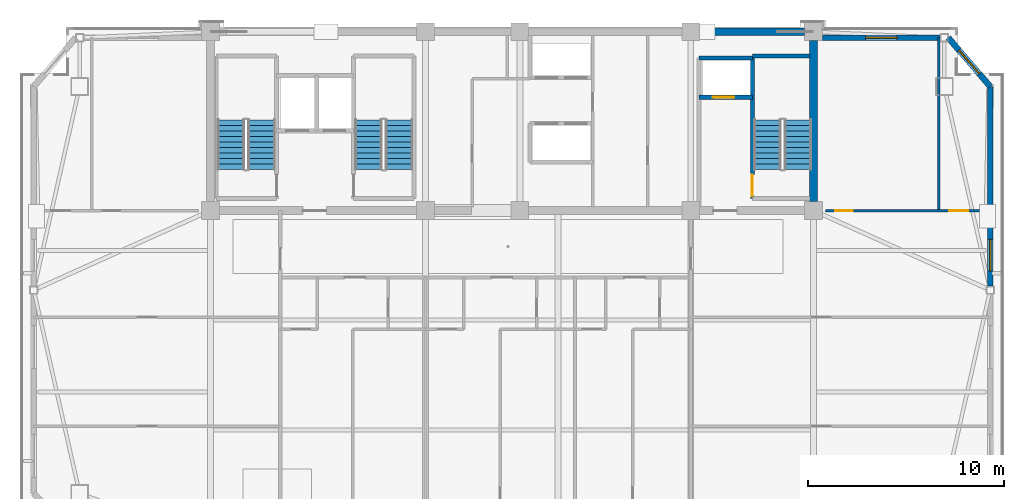
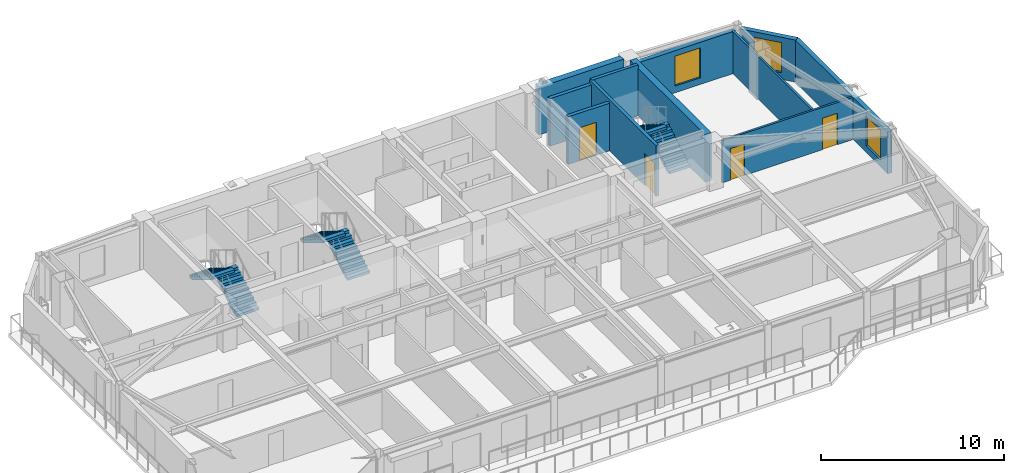
# One storey, part 9 of 14: 11 walls, 6 stair flights, 4 doors, 3 windows, 7 openings, 3 elements without a shape of their own.
"""IFC4 building model written with IfcOpenShell, lengths in metres."""

from ifc_helpers import new_model, si_unit, direction, frame, frame_2d, origin, place, context, subcontext, project, spatial, polyline, rectangle, outline, extrude, source, transform, mapped, material, layer, layer_set, type_object, element, fill, aggregate, save


model = new_model("IFC4")

# Units and contexts
model_context = context("Model", 3, precision=1e-05, world=origin(), true_north=direction((0.0, 1.0)))
body_context = subcontext(model_context, "Body", "Model", "MODEL_VIEW")
ifc_project = project(units=[si_unit("LENGTHUNIT", "METRE"), si_unit("AREAUNIT", "SQUARE_METRE"), si_unit("VOLUMEUNIT", "CUBIC_METRE"), si_unit("PLANEANGLEUNIT", "RADIAN"), si_unit("MASSUNIT", "GRAM", prefix="KILO")], contexts=[model_context])

# Site, building, storey
site_placement = place(None, origin())
site = spatial("IfcSite", under=ifc_project, at=site_placement, CompositionType="ELEMENT")
building_placement = place(site_placement, origin())
building = spatial("IfcBuilding", under=site, at=building_placement, Name="Giltprow Tower", CompositionType="ELEMENT")
storey_placement = place(building_placement, frame((0.0, 0.0, 314.199951171875)))
storey = spatial("IfcBuildingStorey", under=building, at=storey_placement, Name="L81", CompositionType="ELEMENT", Elevation=314.199951171875)

# Wall, opening, window
ifc_material_1 = material(Name="Precast concrete C40", Category="concrete")
ifc_layer_1 = layer(ifc_material_1, 0.300048828125, Name="Precast concrete C40")
ifc_layer_set_1 = layer_set([ifc_layer_1], Name="Precast concrete C40")
wall_type_1 = type_object("IfcWallType", Name="EW-NOTCH-CHAMFER-300", PredefinedType="SOLIDWALL", material=ifc_layer_set_1)
wall_1_placement = place(storey_placement, frame((59.5458984375, 43.761962890625, 0.0), z_axis=(0.0, 0.0, 1.0), x_axis=(-0.65172861611, 0.758452246977, 0.0)))
wall_1 = element("IfcWall", 1, at=wall_1_placement, inside=storey, type_object=wall_type_1, Name="L81 Corner Notch Wall NE", PredefinedType="SOLIDWALL", context=body_context, shape_type="SweptSolid", body=[
    extrude(rectangle(XDim=3.280517578125, YDim=0.300048828125, at=frame_2d((1.64013671875, 0.0))), origin(), (0.0, 0.0, 1.0), 2.81494140625),
])
opening_1_placement = place(wall_1_placement, frame((0.840087890625, 0.0, 0.449951171875)))
opening_1 = element("IfcOpeningElement", 2, at=opening_1_placement, cuts=wall_1, Name="Opening WN17", PredefinedType="OPENING", context=body_context, shape_type="SweptSolid", body=[
    extrude(rectangle(XDim=1.60009765625, YDim=2.0, at=frame_2d((0.800048828125, 1.0))), frame((0.0, 0.159912109375, 0.0), z_axis=(0.0, -1.0, 0.0), x_axis=(1.0, 0.0, 0.0)), (0.0, 0.0, 1.0), 0.320068359375),
])
ifc_material_2 = material(Name="Insulated glass", Category="glass")
window_type = type_object("IfcWindowType", Name="WN-COR-1600x2000", PartitioningType="SINGLE_PANEL", PredefinedType="WINDOW", material=ifc_material_2)
shared_shape_1 = source(origin(), body_context, "Body", "SweptSolid", [
    extrude(rectangle(XDim=1.60009765625, YDim=2.0, at=frame_2d((0.800048828125, 1.0))), frame((0.0, 0.030029296875, 0.0), z_axis=(0.0, -1.0, 0.0), x_axis=(1.0, 0.0, 0.0)), (0.0, 0.0, 1.0), 0.06005859375),
])
window_1_placement = place(opening_1_placement, origin())
window_1 = element("IfcWindow", 3, at=window_1_placement, inside=storey, type_object=window_type, Name="L81 Corner Notch Window NE", OverallHeight=2.0, OverallWidth=1.60009765625, PartitioningType="SINGLE_PANEL", PredefinedType="WINDOW", context=body_context, shape_type="MappedRepresentation", body=[
    mapped(shared_shape_1, transform((0.0, 0.0, 0.0), x_axis=(1.0, 0.0, 0.0), y_axis=(0.0, 1.0, 0.0), z_axis=(0.0, 0.0, 1.0), scale=1.0)),
])
fill(opening_1, window_1)

ifc_layer_2 = layer(ifc_material_1, 0.280029296875, Name="Precast concrete C40")
ifc_layer_set_2 = layer_set([ifc_layer_2], Name="Precast concrete C40")
wall_type_2 = type_object("IfcWallType", Name="EW-TOW-BRONZE-280", PredefinedType="SOLIDWALL", material=ifc_layer_set_2)
wall_2_placement = place(storey_placement, frame((59.5458984375, 33.60205078125, 0.0), z_axis=(0.0, 0.0, 1.0), x_axis=(0.0, 1.0, 0.0)))
wall_2 = element("IfcWall", 4, at=wall_2_placement, inside=storey, type_object=wall_type_2, Name="L81 E Wing Masonry Wall 2", PredefinedType="SOLIDWALL", context=body_context, shape_type="SweptSolid", body=[
    extrude(rectangle(XDim=10.159912109375, YDim=0.280029296875, at=frame_2d((5.080078125, 0.0))), origin(), (0.0, 0.0, 1.0), 2.81494140625),
])
opening_2_placement = place(wall_2_placement, frame((0.77490234375, 0.0, 0.449951171875)))
opening_2 = element("IfcOpeningElement", 5, at=opening_2_placement, cuts=wall_2, Name="Opening WN17", PredefinedType="OPENING", context=body_context, shape_type="SweptSolid", body=[
    extrude(rectangle(XDim=1.60009765625, YDim=2.0, at=frame_2d((0.800048828125, 1.0))), frame((0.0, 0.14990234375, 0.0), z_axis=(0.0, -1.0, 0.0), x_axis=(1.0, 0.0, 0.0)), (0.0, 0.0, 1.0), 0.300048828125),
])
window_2_placement = place(opening_2_placement, origin())
window_2 = element("IfcWindow", 6, at=window_2_placement, inside=storey, type_object=window_type, Name="L81 E Wing Window 2-1", OverallHeight=2.0, OverallWidth=1.60009765625, PartitioningType="SINGLE_PANEL", PredefinedType="WINDOW", context=body_context, shape_type="MappedRepresentation", body=[
    mapped(shared_shape_1, transform((0.0, 0.0, 0.0), x_axis=(1.0, 0.0, 0.0), y_axis=(0.0, 1.0, 0.0), z_axis=(0.0, 0.0, 1.0), scale=1.0)),
])
fill(opening_2, window_2)

wall_3_placement = place(storey_placement, frame((51.0, 46.25, 0.0), z_axis=(0.0, 0.0, 1.0), x_axis=(1.0, 0.0, 0.0)))
wall_3 = element("IfcWall", 7, at=wall_3_placement, inside=storey, type_object=wall_type_2, Name="L81 North-East Wing Wall", PredefinedType="SOLIDWALL", context=body_context, shape_type="SweptSolid", body=[
    extrude(rectangle(XDim=6.008056640625, YDim=0.280029296875, at=frame_2d((3.00390625, 0.0))), origin(), (0.0, 0.0, 1.0), 2.81494140625),
])
opening_3_placement = place(wall_3_placement, frame((2.2041015625, 0.0, 0.449951171875)))
opening_3 = element("IfcOpeningElement", 8, at=opening_3_placement, cuts=wall_3, Name="Opening WN17", PredefinedType="OPENING", context=body_context, shape_type="SweptSolid", body=[
    extrude(rectangle(XDim=1.60009765625, YDim=2.0, at=frame_2d((0.800048828125, 1.0))), frame((0.0, 0.14990234375, 0.0), z_axis=(0.0, -1.0, 0.0), x_axis=(1.0, 0.0, 0.0)), (0.0, 0.0, 1.0), 0.300048828125),
])
window_3_placement = place(opening_3_placement, origin())
window_3 = element("IfcWindow", 9, at=window_3_placement, inside=storey, type_object=window_type, Name="L81 North-East Window", OverallHeight=2.0, OverallWidth=1.60009765625, PartitioningType="SINGLE_PANEL", PredefinedType="WINDOW", context=body_context, shape_type="MappedRepresentation", body=[
    mapped(shared_shape_1, transform((0.0, 0.0, 0.0), x_axis=(1.0, 0.0, 0.0), y_axis=(0.0, 1.0, 0.0), z_axis=(0.0, 0.0, 1.0), scale=1.0)),
])
fill(opening_3, window_3)

# Wall, opening, door
ifc_material_3 = material(Name="Concrete C40", Category="concrete")
ifc_layer_3 = layer(ifc_material_3, 0.219970703125, Name="Concrete C40")
ifc_layer_set_3 = layer_set([ifc_layer_3], Name="Concrete C40")
wall_type_3 = type_object("IfcWallType", Name="IW-SHAFT-220", PredefinedType="SOLIDWALL", material=ifc_layer_set_3)
wall_4_placement = place(storey_placement, frame((44.719970703125, 43.219970703125, 0.0), z_axis=(0.0, 0.0, 1.0), x_axis=(1.0, 0.0, 0.0)))
wall_4 = element("IfcWall", 10, at=wall_4_placement, inside=storey, type_object=wall_type_3, Name="L81 FFL2 Front Shaft Wall", PredefinedType="SOLIDWALL", context=body_context, shape_type="SweptSolid", body=[
    extrude(rectangle(XDim=2.719970703125, YDim=0.219970703125, at=frame_2d((1.35986328125, 0.0))), origin(), (0.0, 0.0, 1.0), 3.18505859375),
])
opening_4_placement = place(wall_4_placement, frame((0.699951171875, 0.0, 0.0)))
opening_4 = element("IfcOpeningElement", 11, at=opening_4_placement, cuts=wall_4, Name="Opening LD-11", PredefinedType="OPENING", context=body_context, shape_type="SweptSolid", body=[
    extrude(rectangle(XDim=1.10009765625, YDim=2.199951171875, at=frame_2d((0.550048828125, 1.10009765625))), frame((0.0, 0.119873046875, 0.0), z_axis=(0.0, -1.0, 0.0), x_axis=(1.0, 0.0, 0.0)), (0.0, 0.0, 1.0), 0.239990234375),
])
ifc_material_4 = material(Name="Stainless steel", Category="steel")
door_type_1 = type_object("IfcDoorType", Name="DR-LIFT-LD1100", OperationType="SLIDING_TO_LEFT", PredefinedType="DOOR", material=ifc_material_4)
shared_shape_2 = source(origin(), body_context, "Body", "SweptSolid", [
    extrude(rectangle(XDim=1.10009765625, YDim=2.199951171875, at=frame_2d((0.550048828125, 1.10009765625))), frame((0.0, 0.02490234375, 0.0), z_axis=(0.0, -1.0, 0.0), x_axis=(1.0, 0.0, 0.0)), (0.0, 0.0, 1.0), 0.050048828125),
])
door_1_placement = place(opening_4_placement, origin())
door_1 = element("IfcDoor", 12, at=door_1_placement, inside=storey, type_object=door_type_1, Name="L81 FFL2 Landing Door", OperationType="SLIDING_TO_LEFT", OverallHeight=2.199951171875, OverallWidth=1.10009765625, PredefinedType="DOOR", context=body_context, shape_type="MappedRepresentation", body=[
    mapped(shared_shape_2, transform((0.0, 0.0, 0.0), x_axis=(1.0, 0.0, 0.0), y_axis=(0.0, 1.0, 0.0), z_axis=(0.0, 0.0, 1.0), scale=1.0)),
])
fill(opening_4, door_1)

# Wall
wall_5_placement = place(storey_placement, frame((44.719970703125, 45.219970703125, 0.0), z_axis=(0.0, 0.0, 1.0), x_axis=(1.0, 0.0, 0.0)))
element("IfcWall", 13, at=wall_5_placement, inside=storey, type_object=wall_type_3, Name="L81 FFL2 Back Shaft Wall", PredefinedType="SOLIDWALL", context=body_context, shape_type="SweptSolid", body=[
    extrude(rectangle(XDim=2.719970703125, YDim=0.219970703125, at=frame_2d((1.35986328125, 0.0))), origin(), (0.0, 0.0, 1.0), 3.18505859375),
])

# Wall, opening, door
ifc_layer_4 = layer(ifc_material_3, 0.199951171875, Name="Concrete C40")
ifc_layer_set_4 = layer_set([ifc_layer_4], Name="Concrete C40")
wall_type_4 = type_object("IfcWallType", Name="IW-STAIR-200", PredefinedType="SOLIDWALL", material=ifc_layer_set_4)
wall_6_placement = place(storey_placement, frame((47.43994140625, 38.070068359375, 0.0), z_axis=(0.0, 0.0, 1.0), x_axis=(0.0, 1.0, 0.0)))
wall_6 = element("IfcWall", 14, at=wall_6_placement, inside=storey, type_object=wall_type_4, Name="L81 Stair ST-3 West Bearing Wall", PredefinedType="SOLIDWALL", context=body_context, shape_type="SweptSolid", body=[
    extrude(rectangle(XDim=7.25, YDim=0.199951171875, at=frame_2d((3.625, 0.0))), origin(), (0.0, 0.0, 1.0), 3.400146484375),
])
opening_5_placement = place(wall_6_placement, frame((0.110107421875, 0.0, 0.0)))
opening_5 = element("IfcOpeningElement", 15, at=opening_5_placement, cuts=wall_6, Name="Opening ID33", PredefinedType="OPENING", context=body_context, shape_type="SweptSolid", body=[
    extrude(rectangle(XDim=1.10009765625, YDim=2.14990234375, at=frame_2d((0.550048828125, 1.074951171875))), frame((0.0, 0.10986328125, 0.0), z_axis=(0.0, -1.0, 0.0), x_axis=(1.0, 0.0, 0.0)), (0.0, 0.0, 1.0), 0.219970703125),
])
ifc_material_5 = material(Name="Steel fire leaf", Category="steel")
door_type_2 = type_object("IfcDoorType", Name="DR-STAIR-1100", OperationType="SINGLE_SWING_LEFT", PredefinedType="DOOR", material=ifc_material_5)
shared_shape_3 = source(origin(), body_context, "Body", "SweptSolid", [
    extrude(rectangle(XDim=1.10009765625, YDim=2.14990234375, at=frame_2d((0.550048828125, 1.074951171875))), frame((0.0, 0.02490234375, 0.0), z_axis=(0.0, -1.0, 0.0), x_axis=(1.0, 0.0, 0.0)), (0.0, 0.0, 1.0), 0.050048828125),
])
door_2_placement = place(opening_5_placement, origin())
door_2 = element("IfcDoor", 16, at=door_2_placement, inside=storey, type_object=door_type_2, Name="L81 Stair ST-3 Fire Door", OperationType="SINGLE_SWING_RIGHT", OverallHeight=2.14990234375, OverallWidth=1.10009765625, PredefinedType="DOOR", context=body_context, shape_type="MappedRepresentation", body=[
    mapped(shared_shape_3, transform((0.0, 0.0, 0.0), x_axis=(1.0, 0.0, 0.0), y_axis=(0.0, 1.0, 0.0), z_axis=(0.0, 0.0, 1.0), scale=1.0)),
])
fill(opening_5, door_2)

# Wall
wall_7_placement = place(storey_placement, frame((47.43994140625, 45.320068359375, 0.0), z_axis=(0.0, 0.0, 1.0), x_axis=(1.0, 0.0, 0.0)))
element("IfcWall", 17, at=wall_7_placement, inside=storey, type_object=wall_type_4, Name="L81 Stair ST-3 North Bearing Wall", PredefinedType="SOLIDWALL", context=body_context, shape_type="SweptSolid", body=[
    extrude(rectangle(XDim=2.93017578125, YDim=0.199951171875, at=frame_2d((1.465087890625, 0.0))), origin(), (0.0, 0.0, 1.0), 3.400146484375),
])

# Wall, openings, doors
ifc_material_6 = material(Name="Concrete C30", Category="concrete")
ifc_layer_5 = layer(ifc_material_6, 0.1298828125, Name="Concrete C30")
ifc_layer_set_5 = layer_set([ifc_layer_5], Name="Concrete C30")
wall_type_5 = type_object("IfcWallType", Name="IW-WET-130", PredefinedType="PARTITIONING", material=ifc_layer_set_5)
wall_8_placement = place(storey_placement, frame((51.14990234375, 37.449951171875, 0.0), z_axis=(0.0, 0.0, 1.0), x_axis=(1.0, 0.0, 0.0)))
wall_8 = element("IfcWall", 18, at=wall_8_placement, inside=storey, type_object=wall_type_5, Name="L81 NE Wing South Wall", PredefinedType="PARTITIONING", context=body_context, shape_type="SweptSolid", body=[
    extrude(rectangle(XDim=8.39599609375, YDim=0.1298828125, at=frame_2d((4.197998046875, 0.0))), origin(), (0.0, 0.0, 1.0), 2.820068359375),
])
opening_6_placement = place(wall_8_placement, frame((0.5, 0.0, 0.0)))
opening_6 = element("IfcOpeningElement", 19, at=opening_6_placement, cuts=wall_8, Name="Opening ID15", PredefinedType="OPENING", context=body_context, shape_type="SweptSolid", body=[
    extrude(rectangle(XDim=0.89990234375, YDim=2.10009765625, at=frame_2d((0.449951171875, 1.050048828125))), frame((0.0, 0.074951171875, 0.0), z_axis=(0.0, -1.0, 0.0), x_axis=(1.0, 0.0, 0.0)), (0.0, 0.0, 1.0), 0.14990234375),
])
opening_7_placement = place(wall_8_placement, frame((6.31689453125, 0.0, 0.0)))
opening_7 = element("IfcOpeningElement", 20, at=opening_7_placement, cuts=wall_8, Name="Opening ID11", PredefinedType="OPENING", context=body_context, shape_type="SweptSolid", body=[
    extrude(rectangle(XDim=0.949951171875, YDim=2.10009765625, at=frame_2d((0.47509765625, 1.050048828125))), frame((0.0, 0.074951171875, 0.0), z_axis=(0.0, -1.0, 0.0), x_axis=(1.0, 0.0, 0.0)), (0.0, 0.0, 1.0), 0.14990234375),
])
ifc_material_7 = material(Name="Engineered timber", Category="wood")
door_type_3 = type_object("IfcDoorType", Name="DR-WC-900", OperationType="SINGLE_SWING_LEFT", PredefinedType="DOOR", material=ifc_material_7)
shared_shape_4 = source(origin(), body_context, "Body", "SweptSolid", [
    extrude(rectangle(XDim=0.89990234375, YDim=2.10009765625, at=frame_2d((0.449951171875, 1.050048828125))), frame((0.0, 0.02490234375, 0.0), z_axis=(0.0, -1.0, 0.0), x_axis=(1.0, 0.0, 0.0)), (0.0, 0.0, 1.0), 0.050048828125),
])
door_3_placement = place(opening_6_placement, origin())
door_3 = element("IfcDoor", 21, at=door_3_placement, inside=storey, type_object=door_type_3, Name="L81 East Wing Washroom Door", OperationType="SINGLE_SWING_RIGHT", OverallHeight=2.10009765625, OverallWidth=0.89990234375, PredefinedType="DOOR", context=body_context, shape_type="MappedRepresentation", body=[
    mapped(shared_shape_4, transform((0.0, 0.0, 0.0), x_axis=(1.0, 0.0, 0.0), y_axis=(0.0, 1.0, 0.0), z_axis=(0.0, 0.0, 1.0), scale=1.0)),
])
fill(opening_6, door_3)
door_type_4 = type_object("IfcDoorType", Name="DR-ROOM-950", OperationType="SINGLE_SWING_RIGHT", PredefinedType="DOOR", material=ifc_material_7)
shared_shape_5 = source(origin(), body_context, "Body", "SweptSolid", [
    extrude(rectangle(XDim=0.949951171875, YDim=2.10009765625, at=frame_2d((0.47509765625, 1.050048828125))), frame((0.0, 0.02490234375, 0.0), z_axis=(0.0, -1.0, 0.0), x_axis=(1.0, 0.0, 0.0)), (0.0, 0.0, 1.0), 0.050048828125),
])
door_4_placement = place(opening_7_placement, origin())
door_4 = element("IfcDoor", 22, at=door_4_placement, inside=storey, type_object=door_type_4, Name="L81 Residents Reading Lounge Door", OperationType="SINGLE_SWING_LEFT", OverallHeight=2.10009765625, OverallWidth=0.949951171875, PredefinedType="DOOR", context=body_context, shape_type="MappedRepresentation", body=[
    mapped(shared_shape_5, transform((0.0, 0.0, 0.0), x_axis=(1.0, 0.0, 0.0), y_axis=(0.0, 1.0, 0.0), z_axis=(0.0, 0.0, 1.0), scale=1.0)),
])
fill(opening_7, door_4)

# Walls
wall_9_placement = place(storey_placement, frame((56.9169921875, 37.449951171875, 0.0), z_axis=(0.0, 0.0, 1.0), x_axis=(0.0, 1.0, 0.0)))
element("IfcWall", 23, at=wall_9_placement, inside=storey, type_object=wall_type_5, Name="L81 NE Wing Divider", PredefinedType="PARTITIONING", context=body_context, shape_type="SweptSolid", body=[
    extrude(rectangle(XDim=8.800048828125, YDim=0.1298828125, at=frame_2d((4.39990234375, 0.0))), origin(), (0.0, 0.0, 1.0), 2.820068359375),
])
ifc_material_8 = material(Name="Concrete C45", Category="concrete")
ifc_layer_6 = layer(ifc_material_8, 0.39990234375, Name="Concrete C45")
ifc_layer_set_6 = layer_set([ifc_layer_6], Name="Concrete C45")
wall_type_6 = type_object("IfcWallType", Name="SW-EXT-400-C45", PredefinedType="SHEAR", material=ifc_layer_set_6)
wall_10_placement = place(storey_placement, frame((44.75, 46.550048828125, 0.0), z_axis=(0.0, 0.0, 1.0), x_axis=(1.0, 0.0, 0.0)))
element("IfcWall", 24, at=wall_10_placement, inside=storey, type_object=wall_type_6, Name="L81 North Rear Core Shear Wall 4", PredefinedType="SHEAR", context=body_context, shape_type="SweptSolid", body=[
    extrude(rectangle(XDim=5.35009765625, YDim=0.39990234375, at=frame_2d((2.675048828125, 0.0))), origin(), (0.0, 0.0, 1.0), 3.18505859375),
])
ifc_layer_7 = layer(ifc_material_8, 0.39990234375, Name="Concrete C45")
ifc_layer_set_7 = layer_set([ifc_layer_7], Name="Concrete C45")
wall_type_7 = type_object("IfcWallType", Name="SW-INT-400-C45", PredefinedType="SHEAR", material=ifc_layer_set_7)
wall_11_placement = place(storey_placement, frame((50.550048828125, 37.89990234375, 0.0), z_axis=(0.0, 0.0, 1.0), x_axis=(0.0, 1.0, 0.0)))
element("IfcWall", 25, at=wall_11_placement, inside=storey, type_object=wall_type_7, Name="L81 E Rear Core Shear Wall", PredefinedType="SHEAR", context=body_context, shape_type="SweptSolid", body=[
    extrude(rectangle(XDim=8.2001953125, YDim=0.39990234375, at=frame_2d((4.10009765625, 0.0))), origin(), (0.0, 0.0, 1.0), 3.18505859375),
])

# Stair, stair flights
stair_type_1 = type_object("IfcStairType", Name="STR-ST-1", PredefinedType="HALF_TURN_STAIR", material=ifc_material_3)
stair_1_placement = place(storey_placement, origin())
stair_1 = element("IfcStair", 26, at=stair_1_placement, inside=storey, type_object=stair_type_1, Name="L81 Core Exit Stair ST-1", PredefinedType="HALF_TURN_STAIR")
stair_flight_type_1 = type_object("IfcStairFlightType", Name="SFL-ST-1", PredefinedType="STRAIGHT", material=ifc_material_3)
stair_flight_1_placement = place(storey_placement, frame((22.4599609375, 39.550048828125, 0.0), z_axis=(0.0, 0.0, 1.0), x_axis=(0.0, 1.0, 0.0)))
stair_flight_1 = element("IfcStairFlight", 27, at=stair_flight_1_placement, type_object=stair_flight_type_1, Name="ST-1 flight 1", NumberOfRisers=10, NumberOfTreads=9, PredefinedType="STRAIGHT", RiserHeight=0.17, TreadLength=0.28, context=body_context, shape_type="SweptSolid", body=[
    extrude(outline(polyline([(0.0, 0.0), (0.0, 0.169921875), (0.280029296875, 0.169921875), (0.280029296875, 0.340087890625), (0.56005859375, 0.340087890625), (0.56005859375, 0.510009765625), (0.840087890625, 0.510009765625), (0.840087890625, 0.679931640625), (1.1201171875, 0.679931640625), (1.1201171875, 0.85009765625), (1.39990234375, 0.85009765625), (1.39990234375, 1.02001953125), (1.679931640625, 1.02001953125), (1.679931640625, 1.18994140625), (1.9599609375, 1.18994140625), (1.9599609375, 1.360107421875), (2.239990234375, 1.360107421875), (2.239990234375, 1.530029296875), (2.52001953125, 1.530029296875), (2.52001953125, 1.699951171875), (2.52001953125, 1.354736328125), (0.288818359375, 0.0), (0.0, 0.0)])), frame((0.0, 0.699951171875, 0.0), z_axis=(0.0, -1.0, 0.0), x_axis=(1.0, 0.0, 0.0)), (0.0, 0.0, 1.0), 1.39990234375),
])
stair_flight_2_placement = place(storey_placement, frame((20.89990234375, 42.070068359375, 1.699951171875), z_axis=(0.0, 0.0, 1.0), x_axis=(0.0, -1.0, 0.0)))
stair_flight_2 = element("IfcStairFlight", 28, at=stair_flight_2_placement, type_object=stair_flight_type_1, Name="ST-1 flight 2", NumberOfRisers=10, NumberOfTreads=9, PredefinedType="STRAIGHT", RiserHeight=0.17, TreadLength=0.28, context=body_context, shape_type="SweptSolid", body=[
    extrude(outline(polyline([(0.0, 0.0), (0.0, 0.169921875), (0.280029296875, 0.169921875), (0.280029296875, 0.340087890625), (0.56005859375, 0.340087890625), (0.56005859375, 0.510009765625), (0.840087890625, 0.510009765625), (0.840087890625, 0.679931640625), (1.1201171875, 0.679931640625), (1.1201171875, 0.85009765625), (1.39990234375, 0.85009765625), (1.39990234375, 1.02001953125), (1.679931640625, 1.02001953125), (1.679931640625, 1.18994140625), (1.9599609375, 1.18994140625), (1.9599609375, 1.360107421875), (2.239990234375, 1.360107421875), (2.239990234375, 1.530029296875), (2.52001953125, 1.530029296875), (2.52001953125, 1.699951171875), (2.52001953125, 1.354736328125), (0.288818359375, 0.0), (0.0, 0.0)])), frame((0.0, 0.699951171875, 0.0), z_axis=(0.0, -1.0, 0.0), x_axis=(1.0, 0.0, 0.0)), (0.0, 0.0, 1.0), 1.39990234375),
])
aggregate(stair_1, [stair_flight_1, stair_flight_2])

stair_type_2 = type_object("IfcStairType", Name="STR-ST-2", PredefinedType="HALF_TURN_STAIR", material=ifc_material_3)
stair_2_placement = place(storey_placement, origin())
stair_2 = element("IfcStair", 29, at=stair_2_placement, inside=storey, type_object=stair_type_2, Name="L81 Core Exit Stair ST-2", PredefinedType="HALF_TURN_STAIR")
stair_flight_type_2 = type_object("IfcStairFlightType", Name="SFL-ST-2", PredefinedType="STRAIGHT", material=ifc_material_3)
stair_flight_3_placement = place(storey_placement, frame((29.4599609375, 39.550048828125, 0.0), z_axis=(0.0, 0.0, 1.0), x_axis=(0.0, 1.0, 0.0)))
stair_flight_3 = element("IfcStairFlight", 30, at=stair_flight_3_placement, type_object=stair_flight_type_2, Name="ST-2 flight 1", NumberOfRisers=10, NumberOfTreads=9, PredefinedType="STRAIGHT", RiserHeight=0.17, TreadLength=0.28, context=body_context, shape_type="SweptSolid", body=[
    extrude(outline(polyline([(0.0, 0.0), (0.0, 0.169921875), (0.280029296875, 0.169921875), (0.280029296875, 0.340087890625), (0.56005859375, 0.340087890625), (0.56005859375, 0.510009765625), (0.840087890625, 0.510009765625), (0.840087890625, 0.679931640625), (1.1201171875, 0.679931640625), (1.1201171875, 0.85009765625), (1.39990234375, 0.85009765625), (1.39990234375, 1.02001953125), (1.679931640625, 1.02001953125), (1.679931640625, 1.18994140625), (1.9599609375, 1.18994140625), (1.9599609375, 1.360107421875), (2.239990234375, 1.360107421875), (2.239990234375, 1.530029296875), (2.52001953125, 1.530029296875), (2.52001953125, 1.699951171875), (2.52001953125, 1.354736328125), (0.288818359375, 0.0), (0.0, 0.0)])), frame((0.0, 0.699951171875, 0.0), z_axis=(0.0, -1.0, 0.0), x_axis=(1.0, 0.0, 0.0)), (0.0, 0.0, 1.0), 1.39990234375),
])
stair_flight_4_placement = place(storey_placement, frame((27.89990234375, 42.070068359375, 1.699951171875), z_axis=(0.0, 0.0, 1.0), x_axis=(0.0, -1.0, 0.0)))
stair_flight_4 = element("IfcStairFlight", 31, at=stair_flight_4_placement, type_object=stair_flight_type_2, Name="ST-2 flight 2", NumberOfRisers=10, NumberOfTreads=9, PredefinedType="STRAIGHT", RiserHeight=0.17, TreadLength=0.28, context=body_context, shape_type="SweptSolid", body=[
    extrude(outline(polyline([(0.0, 0.0), (0.0, 0.169921875), (0.280029296875, 0.169921875), (0.280029296875, 0.340087890625), (0.56005859375, 0.340087890625), (0.56005859375, 0.510009765625), (0.840087890625, 0.510009765625), (0.840087890625, 0.679931640625), (1.1201171875, 0.679931640625), (1.1201171875, 0.85009765625), (1.39990234375, 0.85009765625), (1.39990234375, 1.02001953125), (1.679931640625, 1.02001953125), (1.679931640625, 1.18994140625), (1.9599609375, 1.18994140625), (1.9599609375, 1.360107421875), (2.239990234375, 1.360107421875), (2.239990234375, 1.530029296875), (2.52001953125, 1.530029296875), (2.52001953125, 1.699951171875), (2.52001953125, 1.354736328125), (0.288818359375, 0.0), (0.0, 0.0)])), frame((0.0, 0.699951171875, 0.0), z_axis=(0.0, -1.0, 0.0), x_axis=(1.0, 0.0, 0.0)), (0.0, 0.0, 1.0), 1.39990234375),
])
aggregate(stair_2, [stair_flight_3, stair_flight_4])

stair_type_3 = type_object("IfcStairType", Name="STR-ST-3", PredefinedType="HALF_TURN_STAIR", material=ifc_material_3)
stair_3_placement = place(storey_placement, origin())
stair_3 = element("IfcStair", 32, at=stair_3_placement, inside=storey, type_object=stair_type_3, Name="L81 Core Exit Stair ST-3", PredefinedType="HALF_TURN_STAIR")
stair_flight_type_3 = type_object("IfcStairFlightType", Name="SFL-ST-3", PredefinedType="STRAIGHT", material=ifc_material_3)
stair_flight_5_placement = place(storey_placement, frame((49.760009765625, 39.550048828125, 0.0), z_axis=(0.0, 0.0, 1.0), x_axis=(0.0, 1.0, 0.0)))
stair_flight_5 = element("IfcStairFlight", 33, at=stair_flight_5_placement, type_object=stair_flight_type_3, Name="ST-3 flight 1", NumberOfRisers=10, NumberOfTreads=9, PredefinedType="STRAIGHT", RiserHeight=0.17, TreadLength=0.28, context=body_context, shape_type="SweptSolid", body=[
    extrude(outline(polyline([(0.0, 0.0), (0.0, 0.169921875), (0.280029296875, 0.169921875), (0.280029296875, 0.340087890625), (0.56005859375, 0.340087890625), (0.56005859375, 0.510009765625), (0.840087890625, 0.510009765625), (0.840087890625, 0.679931640625), (1.1201171875, 0.679931640625), (1.1201171875, 0.85009765625), (1.39990234375, 0.85009765625), (1.39990234375, 1.02001953125), (1.679931640625, 1.02001953125), (1.679931640625, 1.18994140625), (1.9599609375, 1.18994140625), (1.9599609375, 1.360107421875), (2.239990234375, 1.360107421875), (2.239990234375, 1.530029296875), (2.52001953125, 1.530029296875), (2.52001953125, 1.699951171875), (2.52001953125, 1.354736328125), (0.288818359375, 0.0), (0.0, 0.0)])), frame((0.0, 0.699951171875, 0.0), z_axis=(0.0, -1.0, 0.0), x_axis=(1.0, 0.0, 0.0)), (0.0, 0.0, 1.0), 1.39990234375),
])
stair_flight_6_placement = place(storey_placement, frame((48.199951171875, 42.070068359375, 1.699951171875), z_axis=(0.0, 0.0, 1.0), x_axis=(0.0, -1.0, 0.0)))
stair_flight_6 = element("IfcStairFlight", 34, at=stair_flight_6_placement, type_object=stair_flight_type_3, Name="ST-3 flight 2", NumberOfRisers=10, NumberOfTreads=9, PredefinedType="STRAIGHT", RiserHeight=0.17, TreadLength=0.28, context=body_context, shape_type="SweptSolid", body=[
    extrude(outline(polyline([(0.0, 0.0), (0.0, 0.169921875), (0.280029296875, 0.169921875), (0.280029296875, 0.340087890625), (0.56005859375, 0.340087890625), (0.56005859375, 0.510009765625), (0.840087890625, 0.510009765625), (0.840087890625, 0.679931640625), (1.1201171875, 0.679931640625), (1.1201171875, 0.85009765625), (1.39990234375, 0.85009765625), (1.39990234375, 1.02001953125), (1.679931640625, 1.02001953125), (1.679931640625, 1.18994140625), (1.9599609375, 1.18994140625), (1.9599609375, 1.360107421875), (2.239990234375, 1.360107421875), (2.239990234375, 1.530029296875), (2.52001953125, 1.530029296875), (2.52001953125, 1.699951171875), (2.52001953125, 1.354736328125), (0.288818359375, 0.0), (0.0, 0.0)])), frame((0.0, 0.699951171875, 0.0), z_axis=(0.0, -1.0, 0.0), x_axis=(1.0, 0.0, 0.0)), (0.0, 0.0, 1.0), 1.39990234375),
])
aggregate(stair_3, [stair_flight_5, stair_flight_6])

save(model, "model.ifc")
